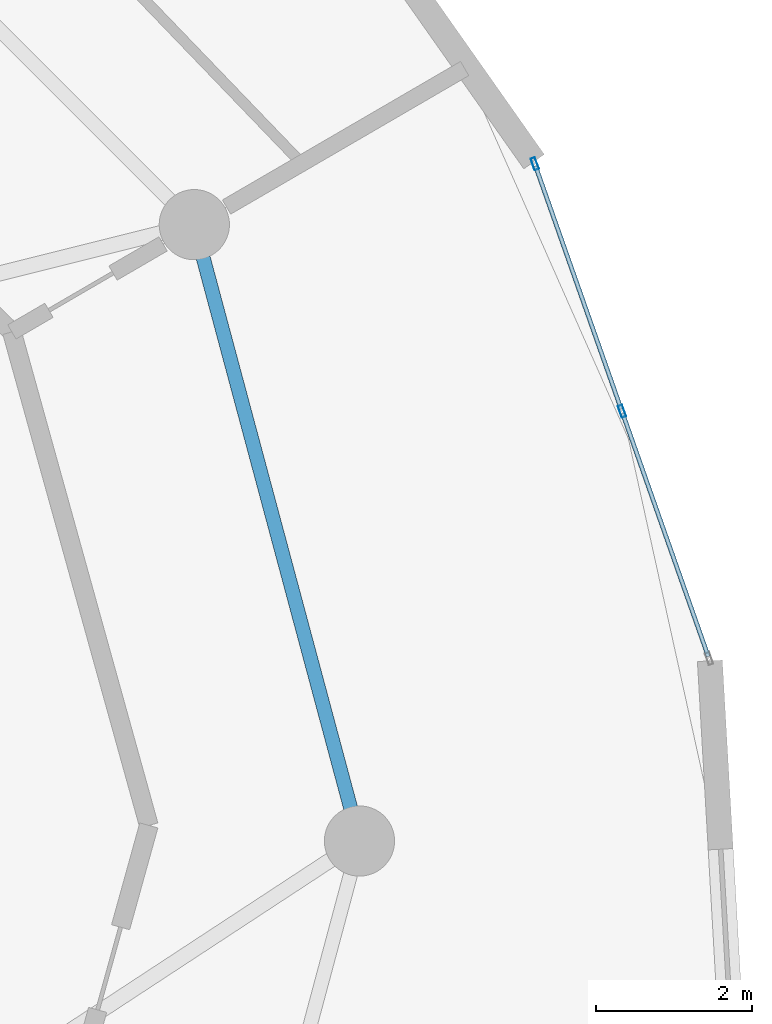
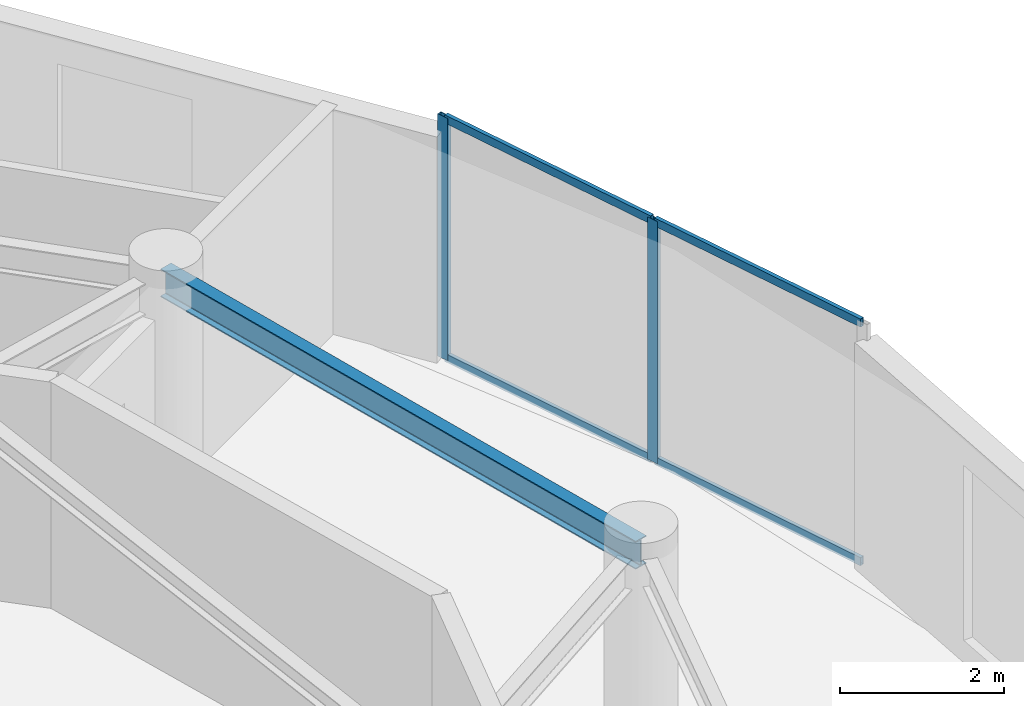
# One storey, part 10 of 18: 6 members, 1 beam, 1 element without a shape of its own.
"""IFC4 building model written with IfcOpenShell, lengths in metres."""

from ifc_helpers import new_model, si_unit, direction, frame, origin, origin_2d, place, context, subcontext, project, spatial, hollow_rectangle, i_section, extrude, source, transform, mapped, material, layer, layer_set, material_profile, profile_set, type_object, element, aggregate, save


model = new_model("IFC4")

# Units and contexts
model_context = context("Model", 3, precision=1e-05, world=origin(), true_north=direction((0.0, 1.0)))
body_context = subcontext(model_context, "Body", "Model", "MODEL_VIEW")
ifc_project = project(units=[si_unit("LENGTHUNIT", "METRE"), si_unit("AREAUNIT", "SQUARE_METRE"), si_unit("VOLUMEUNIT", "CUBIC_METRE"), si_unit("PLANEANGLEUNIT", "RADIAN"), si_unit("MASSUNIT", "GRAM", prefix="KILO")], contexts=[model_context])

# Site, building, storey
site_placement = place(None, origin())
site = spatial("IfcSite", under=ifc_project, at=site_placement, CompositionType="ELEMENT")
building_placement = place(site_placement, origin())
building = spatial("IfcBuilding", under=site, at=building_placement, Name="Solvirekh Grand Hotel", CompositionType="ELEMENT")
storey_placement = place(building_placement, frame((0.0, 0.0, 198.39990234375)))
storey = spatial("IfcBuildingStorey", under=building, at=storey_placement, Name="L51", CompositionType="ELEMENT", Elevation=198.39990234375)

# Beam
ifc_material_1 = material(Name="Steel S355", Category="steel")
ifc_material_profile_1 = material_profile(ifc_material_1, i_section(OverallWidth=0.180908203125, OverallDepth=0.4169921875, WebThickness=0.010009765625, FlangeThickness=0.01611328125, FilletRadius=0.011962890625, at=origin_2d()), Name="W410X85")
ifc_profile_set_1 = profile_set([ifc_material_profile_1], Name="Steel S355")
beam_type = type_object("IfcBeamType", Name="Spandrel_Ring_W410", PredefinedType="SPANDREL", material=ifc_profile_set_1)
beam_placement = place(storey_placement, frame((15.800048828125, 0.0, 3.152099609375), z_axis=(-0.258838541915, 0.965920601923, 0.0), x_axis=(-0.965920601923, -0.258838541915, 0.0)))
element("IfcBeam", 1, at=beam_placement, inside=storey, type_object=beam_type, Name="L51 perimeter spandrel beam 1", PredefinedType="SPANDREL", context=body_context, shape_type="SweptSolid", body=[
    extrude(i_section(OverallWidth=0.180908203125, OverallDepth=0.4169921875, WebThickness=0.010009765625, FlangeThickness=0.01611328125, FilletRadius=0.011962890625, at=origin_2d()), origin(), (0.0, 0.0, 1.0), 8.1787109375),
])

# Curtain wall, members
ifc_material_2 = material(Name="Anodized Bronze Aluminium 6063-T6", Category="aluminium")
ifc_layer = layer(ifc_material_2, 0.159912109375)
ifc_layer_set = layer_set([ifc_layer], Name="Anodized Bronze Aluminium 6063-T6")
curtain_wall_type = type_object("IfcCurtainWallType", Name="CW_Sys4_HighZoneFlushBronzeCW", PredefinedType="NOTDEFINED", material=ifc_layer_set)
curtain_wall_placement = place(storey_placement, origin())
curtain_wall = element("IfcCurtainWall", 2, at=curtain_wall_placement, inside=storey, type_object=curtain_wall_type, Name="L51 unitised bronze-glass curtain wall CW-L51-C05", PredefinedType="NOTDEFINED")
ifc_material_profile_2 = material_profile(ifc_material_2, hollow_rectangle(XDim=0.06005859375, YDim=0.159912109375, WallThickness=0.0048828125, at=origin_2d()), Name="ALU RHS 160X60X5")
ifc_profile_set_2 = profile_set([ifc_material_profile_2], Name="Anodized Bronze Aluminium 6063-T6")
member_type_1 = type_object("IfcMemberType", Name="CWMullion_Sys4", PredefinedType="MULLION", material=ifc_profile_set_2)
shared_shape_1 = source(origin(), body_context, "Body", "SweptSolid", [
    extrude(hollow_rectangle(XDim=0.06005859375, YDim=0.159912109375, WallThickness=0.0048828125, at=origin_2d()), origin(), (0.0, 0.0, 1.0), 3.60009765625),
])
member_1_placement = place(storey_placement, frame((19.1640625, 5.508544921875, 0.0), z_axis=(0.0, 0.0, 1.0), x_axis=(-0.943196961636, -0.332234091508, 0.0)))
member_1 = element("IfcMember", 3, at=member_1_placement, type_object=member_type_1, Name="U04 mullion 2", PredefinedType="MULLION", context=body_context, shape_type="MappedRepresentation", body=[
    mapped(shared_shape_1, transform((0.0, 0.0, 0.0), x_axis=(1.0, 0.0, 0.0), y_axis=(0.0, 1.0, 0.0), z_axis=(0.0, 0.0, 1.0), scale=1.0)),
])
member_2_placement = place(storey_placement, frame((18.046875, 8.6796875, 0.0), z_axis=(0.0, 0.0, 1.0), x_axis=(-0.943196961636, -0.332234091508, 0.0)))
member_2 = element("IfcMember", 4, at=member_2_placement, type_object=member_type_1, Name="U04 mullion 3", PredefinedType="MULLION", context=body_context, shape_type="MappedRepresentation", body=[
    mapped(shared_shape_1, transform((0.0, 0.0, 0.0), x_axis=(1.0, 0.0, 0.0), y_axis=(0.0, 1.0, 0.0), z_axis=(0.0, 0.0, 1.0), scale=1.0)),
])
ifc_material_profile_3 = material_profile(ifc_material_2, hollow_rectangle(XDim=0.054931640625, YDim=0.1201171875, WallThickness=0.00390625, at=origin_2d()), Name="ALU RHS 120X55X4")
ifc_profile_set_3 = profile_set([ifc_material_profile_3], Name="Anodized Bronze Aluminium 6063-T6")
member_type_2 = type_object("IfcMemberType", Name="CWTransom_Sys4", PredefinedType="USERDEFINED", material=ifc_profile_set_3)
shared_shape_2 = source(origin(), body_context, "Body", "SweptSolid", [
    extrude(hollow_rectangle(XDim=0.054931640625, YDim=0.1201171875, WallThickness=0.00390625, at=origin_2d()), origin(), (0.0, 0.0, 1.0), 3.302001953125),
])
member_3_placement = place(storey_placement, frame((19.154052734375, 5.536865234375, 0.027587890625), z_axis=(-0.332263159751, 0.943186722061, 0.0), x_axis=(-0.943186722061, -0.332263159751, 0.0)))
member_3 = element("IfcMember", 5, at=member_3_placement, type_object=member_type_2, Name="U04 transom 2.1", ObjectType="TRANSOM", PredefinedType="USERDEFINED", context=body_context, shape_type="MappedRepresentation", body=[
    mapped(shared_shape_2, transform((0.0, 0.0, 0.0), x_axis=(1.0, 0.0, 0.0), y_axis=(0.0, 1.0, 0.0), z_axis=(0.0, 0.0, 1.0), scale=1.0)),
])
member_4_placement = place(storey_placement, frame((19.154052734375, 5.536865234375, 3.572509765625), z_axis=(-0.332263159751, 0.943186722061, 0.0), x_axis=(-0.943186722061, -0.332263159751, 0.0)))
member_4 = element("IfcMember", 6, at=member_4_placement, type_object=member_type_2, Name="U04 transom 2.2", ObjectType="TRANSOM", PredefinedType="USERDEFINED", context=body_context, shape_type="MappedRepresentation", body=[
    mapped(shared_shape_2, transform((0.0, 0.0, 0.0), x_axis=(1.0, 0.0, 0.0), y_axis=(0.0, 1.0, 0.0), z_axis=(0.0, 0.0, 1.0), scale=1.0)),
])
shared_shape_3 = source(origin(), body_context, "Body", "SweptSolid", [
    extrude(hollow_rectangle(XDim=0.054931640625, YDim=0.1201171875, WallThickness=0.00390625, at=origin_2d()), origin(), (0.0, 0.0, 1.0), 3.30224609375),
])
member_5_placement = place(storey_placement, frame((20.27099609375, 2.365478515625, 0.027587890625), z_axis=(-0.332174219614, 0.943218048928, 0.0), x_axis=(-0.943218048928, -0.332174219614, 0.0)))
member_5 = element("IfcMember", 7, at=member_5_placement, type_object=member_type_2, Name="U04 transom 1.1", ObjectType="TRANSOM", PredefinedType="USERDEFINED", context=body_context, shape_type="MappedRepresentation", body=[
    mapped(shared_shape_3, transform((0.0, 0.0, 0.0), x_axis=(1.0, 0.0, 0.0), y_axis=(0.0, 1.0, 0.0), z_axis=(0.0, 0.0, 1.0), scale=1.0)),
])
member_6_placement = place(storey_placement, frame((20.27099609375, 2.365478515625, 3.572509765625), z_axis=(-0.332174219614, 0.943218048928, 0.0), x_axis=(-0.943218048928, -0.332174219614, 0.0)))
member_6 = element("IfcMember", 8, at=member_6_placement, type_object=member_type_2, Name="U04 transom 1.2", ObjectType="TRANSOM", PredefinedType="USERDEFINED", context=body_context, shape_type="MappedRepresentation", body=[
    mapped(shared_shape_3, transform((0.0, 0.0, 0.0), x_axis=(1.0, 0.0, 0.0), y_axis=(0.0, 1.0, 0.0), z_axis=(0.0, 0.0, 1.0), scale=1.0)),
])
aggregate(curtain_wall, [member_1, member_2, member_5, member_6, member_3, member_4])

save(model, "model.ifc")
